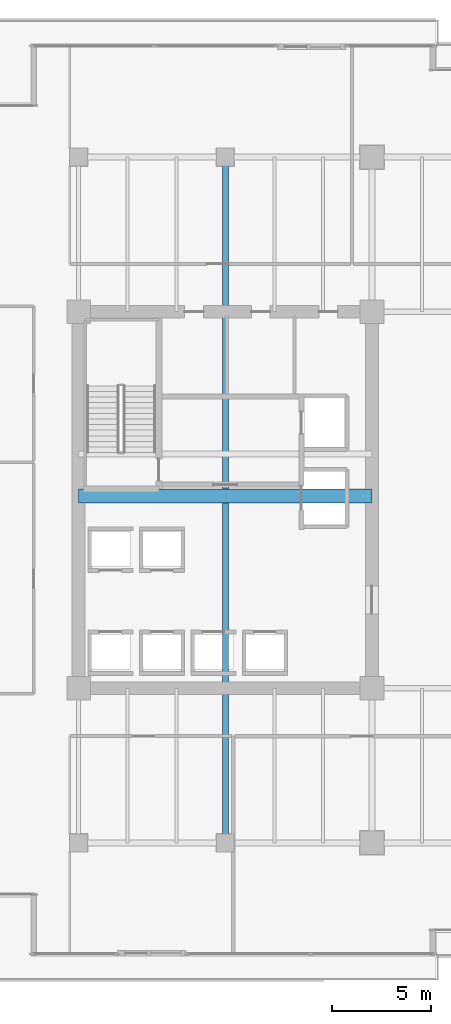
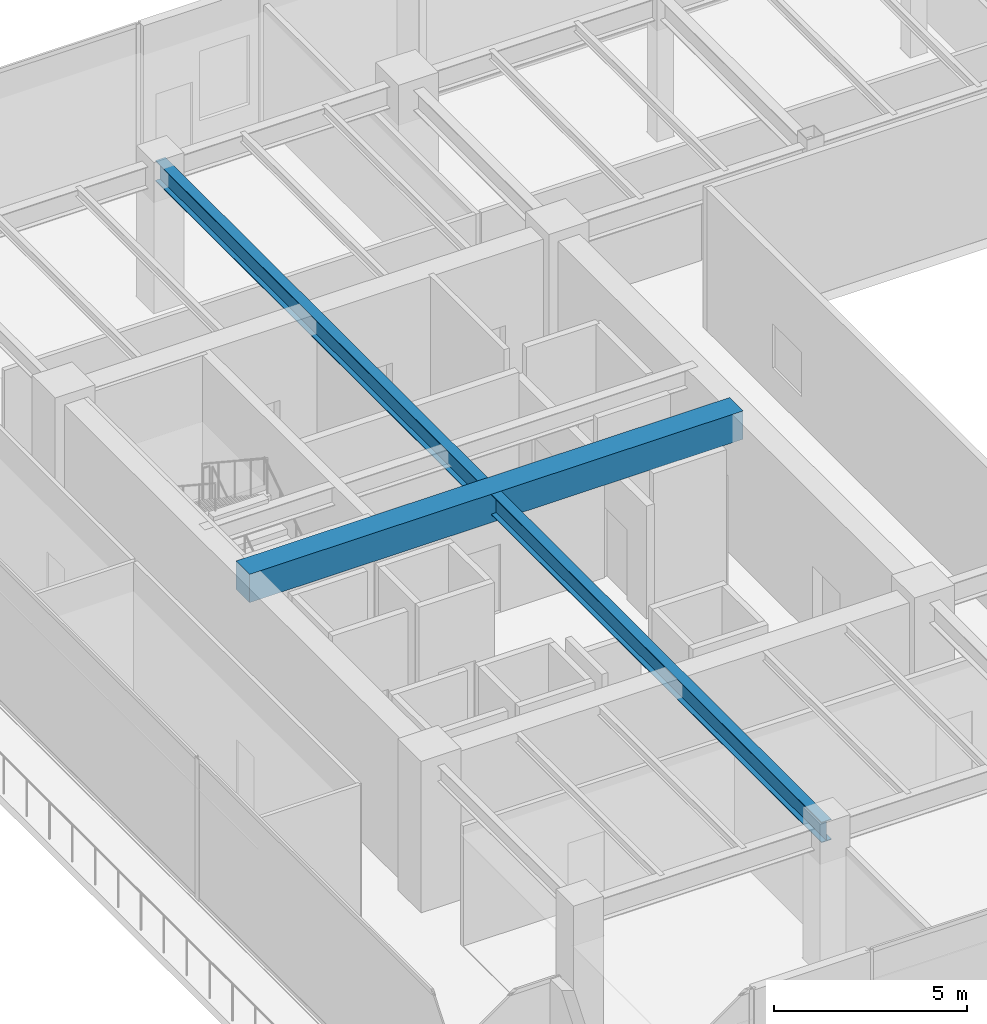
# One storey, part 7 of 33: 2 beams.
"""IFC4 building model written with IfcOpenShell, lengths in metres."""

from ifc_helpers import new_model, si_unit, direction, frame, origin, origin_2d, place, context, subcontext, project, spatial, rectangle, i_section, extrude, source, transform, mapped, material, material_profile, profile_set, type_object, type_shapes, element, save


model = new_model("IFC4")

# Units and contexts
model_context = context("Model", 3, precision=1e-05, world=origin(), true_north=direction((0.0, 1.0)))
body_context = subcontext(model_context, "Body", "Model", "MODEL_VIEW")
ifc_project = project(units=[si_unit("LENGTHUNIT", "METRE"), si_unit("AREAUNIT", "SQUARE_METRE"), si_unit("VOLUMEUNIT", "CUBIC_METRE"), si_unit("PLANEANGLEUNIT", "RADIAN"), si_unit("MASSUNIT", "GRAM", prefix="KILO")], contexts=[model_context])

# Site, building, storey
site_placement = place(None, origin())
site = spatial("IfcSite", under=ifc_project, at=site_placement, CompositionType="ELEMENT")
building_placement = place(site_placement, origin())
building = spatial("IfcBuilding", under=site, at=building_placement, Name="Haelvirn Gate Laboratories", CompositionType="ELEMENT")
storey_placement = place(building_placement, frame((0.0, 0.0, 100.300048828125)))
storey = spatial("IfcBuildingStorey", under=building, at=storey_placement, Name="L24", CompositionType="ELEMENT", Elevation=100.300048828125)

# Beams
ifc_material_1 = material(Name="Concrete C60/75", Category="concrete")
ifc_material_profile_1 = material_profile(ifc_material_1, rectangle(XDim=0.699951171875, YDim=0.89990234375, at=origin_2d()), Name="RCB-700x900")
ifc_profile_set_1 = profile_set([ifc_material_profile_1], Name="Concrete C60/75")
beam_type_1 = type_object("IfcBeamType", Name="BM-RCB-900", PredefinedType="LINTEL", material=ifc_profile_set_1)
shared_shape_1 = source(origin(), body_context, "Body", "SweptSolid", [
    extrude(rectangle(XDim=0.699951171875, YDim=0.89990234375, at=origin_2d()), origin(), (0.0, 0.0, 1.0), 14.800048828125),
])
type_shapes(beam_type_1, [shared_shape_1])
beam_1_placement = place(storey_placement, frame((7.39990234375, 24.5, 4.0400390625), z_axis=(1.0, 0.0, 0.0), x_axis=(0.0, 1.0, 0.0)))
element("IfcBeam", 1, at=beam_1_placement, inside=storey, type_object=beam_type_1, Name="L24 West Core Coupling Beam", PredefinedType="LINTEL", context=body_context, shape_type="MappedRepresentation", body=[
    mapped(shared_shape_1, transform((0.0, 0.0, 0.0), scale=1.0)),
])
ifc_material_2 = material(Name="Steel SM355", Category="steel")
ifc_material_profile_2 = material_profile(ifc_material_2, i_section(OverallWidth=0.300048828125, OverallDepth=0.64990234375, WebThickness=0.012939453125, FlangeThickness=0.02197265625, at=origin_2d()), Name="H-650x300x13x22")
ifc_profile_set_2 = profile_set([ifc_material_profile_2], Name="Steel SM355")
beam_type_2 = type_object("IfcBeamType", Name="BM-G-650", PredefinedType="BEAM", material=ifc_profile_set_2)
shared_shape_2 = source(origin(), body_context, "Body", "SweptSolid", [
    extrude(i_section(OverallWidth=0.300048828125, OverallDepth=0.64990234375, WebThickness=0.012939453125, FlangeThickness=0.02197265625, at=origin_2d()), origin(), (0.0, 0.0, 1.0), 34.60009765625),
])
type_shapes(beam_type_2, [shared_shape_2])
beam_2_placement = place(storey_placement, frame((14.800048828125, 7.0, 4.1650390625), z_axis=(0.0, 1.0, 0.0), x_axis=(-1.0, 0.0, 0.0)))
element("IfcBeam", 2, at=beam_2_placement, inside=storey, type_object=beam_type_2, Name="L24 Frame Girder X14.8 (7.0-41.6)", PredefinedType="BEAM", context=body_context, shape_type="MappedRepresentation", body=[
    mapped(shared_shape_2, transform((0.0, 0.0, 0.0), scale=1.0)),
])

save(model, "model.ifc")
